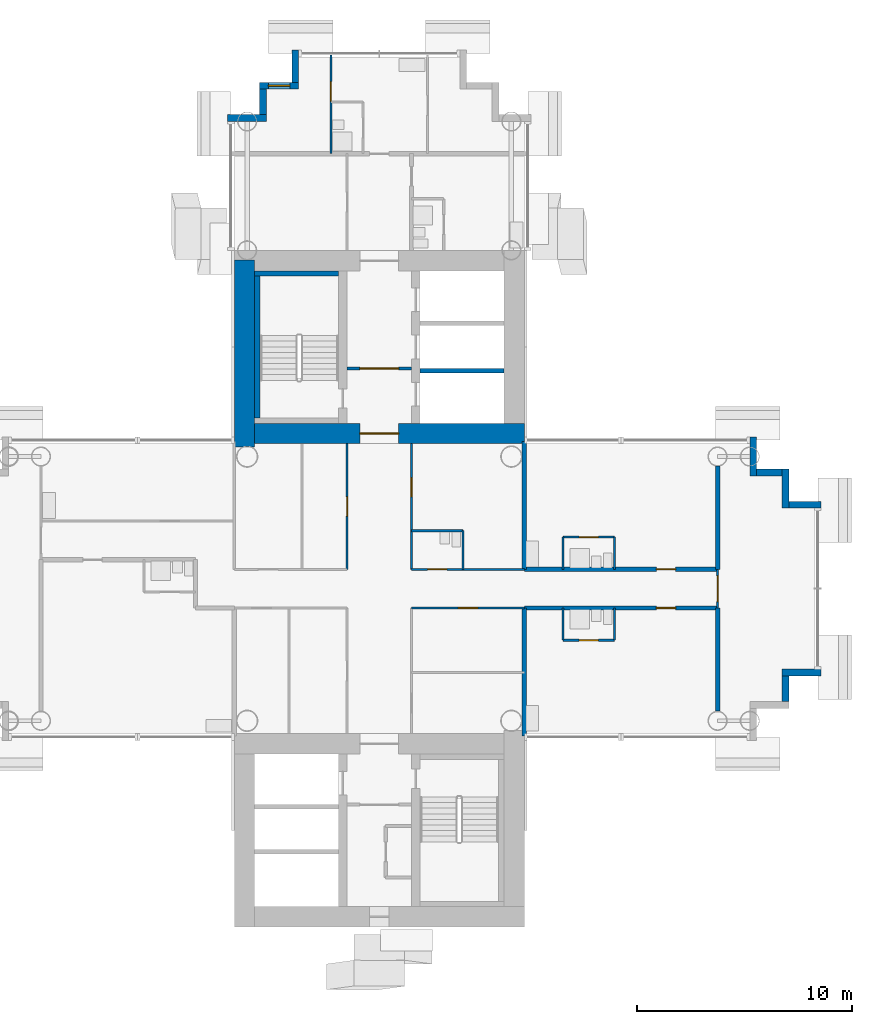
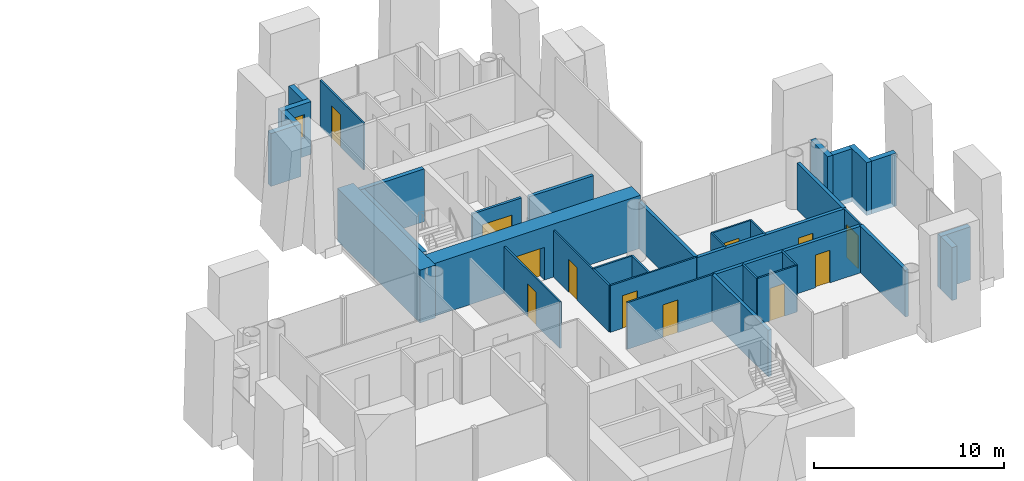
# One storey, part 13 of 21: 36 walls, 12 doors, 1 window, 13 openings.
"""IFC4 building model written with IfcOpenShell, lengths in metres."""

from ifc_helpers import new_model, si_unit, direction, frame, frame_2d, origin, place, context, subcontext, project, spatial, rectangle, extrude, material, layer, layer_set, type_object, element, fill, save


model = new_model("IFC4")

# Units and contexts
model_context = context("Model", 3, precision=1e-05, world=origin(), true_north=direction((0.0, 1.0)))
body_context = subcontext(model_context, "Body", "Model", "MODEL_VIEW")
ifc_project = project(units=[si_unit("LENGTHUNIT", "METRE"), si_unit("AREAUNIT", "SQUARE_METRE"), si_unit("VOLUMEUNIT", "CUBIC_METRE"), si_unit("PLANEANGLEUNIT", "RADIAN"), si_unit("MASSUNIT", "GRAM", prefix="KILO")], contexts=[model_context])

# Site, building, storey
site_placement = place(None, origin())
site = spatial("IfcSite", under=ifc_project, at=site_placement, CompositionType="ELEMENT")
building_placement = place(site_placement, origin())
building = spatial("IfcBuilding", under=site, at=building_placement, Name="Ipe Terrace Towers", CompositionType="ELEMENT")
storey_placement = place(building_placement, frame((0.0, 0.0, 93.60009765625)))
storey = spatial("IfcBuildingStorey", under=building, at=storey_placement, Name="L25", CompositionType="ELEMENT", Elevation=93.60009765625)

# Walls
ifc_material_1 = material(Name="Concrete C40/50 with buff precast cladding", Category="concrete")
ifc_layer_1 = layer(ifc_material_1, 0.320068359375)
ifc_layer_set_1 = layer_set([ifc_layer_1], Name="BUFF CLADDING WALL 320")
wall_type_1 = type_object("IfcWallType", Name="BUFF CLADDING WALL 320", PredefinedType="STANDARD", material=ifc_layer_set_1)
wall_1_placement = place(storey_placement, frame((54.909912109375, -5.25, -0.300048828125), z_axis=(0.0, 0.0, 1.0), x_axis=(0.0, 1.0, 0.0)))
element("IfcWall", 1, at=wall_1_placement, inside=storey, type_object=wall_type_1, Name="T2-W-L25-06a wall", PredefinedType="STANDARD", context=body_context, shape_type="SweptSolid", body=[
    extrude(rectangle(XDim=1.179931640625, YDim=0.320068359375, at=frame_2d((0.58984375, 0.0))), origin(), (0.0, 0.0, 1.0), 3.39990234375),
])
wall_2_placement = place(storey_placement, frame((54.75, -3.909912109375, -0.300048828125), z_axis=(0.0, 0.0, 1.0), x_axis=(1.0, 0.0, 0.0)))
element("IfcWall", 2, at=wall_2_placement, inside=storey, type_object=wall_type_1, Name="T2-W-L25-07a wall", PredefinedType="STANDARD", context=body_context, shape_type="SweptSolid", body=[
    extrude(rectangle(XDim=1.820068359375, YDim=0.320068359375, at=frame_2d((0.91015625, 0.0))), origin(), (0.0, 0.0, 1.0), 3.39990234375),
])
wall_3_placement = place(storey_placement, frame((56.570068359375, 3.909912109375, -0.300048828125), z_axis=(0.0, 0.0, 1.0), x_axis=(-1.0, 0.0, 0.0)))
element("IfcWall", 3, at=wall_3_placement, inside=storey, type_object=wall_type_1, Name="T2-W-L25-09a wall", PredefinedType="STANDARD", context=body_context, shape_type="SweptSolid", body=[
    extrude(rectangle(XDim=1.5, YDim=0.320068359375, at=frame_2d((0.75, 0.0))), origin(), (0.0, 0.0, 1.0), 3.39990234375),
])
wall_4_placement = place(storey_placement, frame((54.909912109375, 3.75, -0.300048828125), z_axis=(0.0, 0.0, 1.0), x_axis=(0.0, 1.0, 0.0)))
element("IfcWall", 4, at=wall_4_placement, inside=storey, type_object=wall_type_1, Name="T2-W-L25-10a wall", PredefinedType="STANDARD", context=body_context, shape_type="SweptSolid", body=[
    extrude(rectangle(XDim=1.820068359375, YDim=0.320068359375, at=frame_2d((0.91015625, 0.0))), origin(), (0.0, 0.0, 1.0), 3.39990234375),
])
wall_5_placement = place(storey_placement, frame((54.75, 5.409912109375, -0.300048828125), z_axis=(0.0, 0.0, 1.0), x_axis=(-1.0, 0.0, 0.0)))
element("IfcWall", 5, at=wall_5_placement, inside=storey, type_object=wall_type_1, Name="T2-W-L25-11a wall", PredefinedType="STANDARD", context=body_context, shape_type="SweptSolid", body=[
    extrude(rectangle(XDim=1.179931640625, YDim=0.320068359375, at=frame_2d((0.58984375, 0.0))), origin(), (0.0, 0.0, 1.0), 3.39990234375),
])
wall_6_placement = place(storey_placement, frame((53.409912109375, 5.25, -0.300048828125), z_axis=(0.0, 0.0, 1.0), x_axis=(0.0, 1.0, 0.0)))
element("IfcWall", 6, at=wall_6_placement, inside=storey, type_object=wall_type_1, Name="T2-W-L25-12a wall", PredefinedType="STANDARD", context=body_context, shape_type="SweptSolid", body=[
    extrude(rectangle(XDim=1.820068359375, YDim=0.320068359375, at=frame_2d((0.91015625, 0.0))), origin(), (0.0, 0.0, 1.0), 3.39990234375),
])
wall_7_placement = place(storey_placement, frame((32.090087890625, 25.070068359375, -0.300048828125), z_axis=(0.0, 0.0, 1.0), x_axis=(0.0, -1.0, 0.0)))
element("IfcWall", 7, at=wall_7_placement, inside=storey, type_object=wall_type_1, Name="T2-W-L25-22a wall", PredefinedType="STANDARD", context=body_context, shape_type="SweptSolid", body=[
    extrude(rectangle(XDim=1.5, YDim=0.320068359375, at=frame_2d((0.75, 0.0))), origin(), (0.0, 0.0, 1.0), 3.39990234375),
])

# Wall, opening, window
wall_8_placement = place(storey_placement, frame((32.25, 23.409912109375, -0.300048828125), z_axis=(0.0, 0.0, 1.0), x_axis=(-1.0, 0.0, 0.0)))
wall_8 = element("IfcWall", 8, at=wall_8_placement, inside=storey, type_object=wall_type_1, Name="T2-W-L25-23a wall", PredefinedType="STANDARD", context=body_context, shape_type="SweptSolid", body=[
    extrude(rectangle(XDim=1.820068359375, YDim=0.320068359375, at=frame_2d((0.91015625, 0.0))), origin(), (0.0, 0.0, 1.0), 3.39990234375),
])
opening_1_placement = place(wall_8_placement, frame((0.409912109375, 0.0, 1.199951171875)))
opening_1 = element("IfcOpeningElement", 9, at=opening_1_placement, cuts=wall_8, Name="Opening T2-W-05-L25-01", PredefinedType="OPENING", context=body_context, shape_type="SweptSolid", body=[
    extrude(rectangle(XDim=1.0, YDim=1.5, at=frame_2d((0.5, 0.75))), frame((0.0, 0.169921875, 0.0), z_axis=(0.0, -1.0, 0.0), x_axis=(1.0, 0.0, 0.0)), (0.0, 0.0, 1.0), 0.340087890625),
])
ifc_material_2 = material(Name="Glass, clear laminated", Category="glass")
window_type = type_object("IfcWindowType", Name="DWELLING WINDOW 1000 x 1500", PartitioningType="SINGLE_PANEL", PredefinedType="WINDOW", material=ifc_material_2)
window_placement = place(opening_1_placement, origin())
window = element("IfcWindow", 10, at=window_placement, inside=storey, type_object=window_type, Name="W-05 window", OverallHeight=1.5, OverallWidth=1.0, PartitioningType="SINGLE_PANEL", PredefinedType="WINDOW", context=body_context, shape_type="SweptSolid", body=[
    extrude(rectangle(XDim=1.0, YDim=1.5, at=frame_2d((0.5, 0.75))), frame((0.0, 0.030029296875, 0.0), z_axis=(0.0, -1.0, 0.0), x_axis=(1.0, 0.0, 0.0)), (0.0, 0.0, 1.0), 0.06005859375),
])
fill(opening_1, window)

# Walls
wall_9_placement = place(storey_placement, frame((30.590087890625, 23.25, -0.300048828125), z_axis=(0.0, 0.0, 1.0), x_axis=(0.0, -1.0, 0.0)))
element("IfcWall", 11, at=wall_9_placement, inside=storey, type_object=wall_type_1, Name="T2-W-L25-24a wall", PredefinedType="STANDARD", context=body_context, shape_type="SweptSolid", body=[
    extrude(rectangle(XDim=1.179931640625, YDim=0.320068359375, at=frame_2d((0.58984375, 0.0))), origin(), (0.0, 0.0, 1.0), 3.39990234375),
])
wall_10_placement = place(storey_placement, frame((30.75, 21.909912109375, -0.300048828125), z_axis=(0.0, 0.0, 1.0), x_axis=(-1.0, 0.0, 0.0)))
element("IfcWall", 12, at=wall_10_placement, inside=storey, type_object=wall_type_1, Name="T2-W-L25-25a wall", PredefinedType="STANDARD", context=body_context, shape_type="SweptSolid", body=[
    extrude(rectangle(XDim=1.820068359375, YDim=0.320068359375, at=frame_2d((0.91015625, 0.0))), origin(), (0.0, 0.0, 1.0), 3.39990234375),
])

# Wall, opening, door
ifc_material_3 = material(Name="Gypsum board partition", Category="plasterboard")
ifc_layer_2 = layer(ifc_material_3, 0.10009765625)
ifc_layer_set_2 = layer_set([ifc_layer_2], Name="Gypsum board partition 100 mm")
wall_type_2 = type_object("IfcWallType", Name="Gypsum board partition 100 mm", PredefinedType="PARTITIONING", material=ifc_layer_set_2)
wall_11_placement = place(storey_placement, frame((46.949951171875, -2.39990234375, 0.0), z_axis=(0.0, 0.0, 1.0), x_axis=(-1.0, 0.0, 0.0)))
wall_11 = element("IfcWall", 13, at=wall_11_placement, inside=storey, type_object=wall_type_2, Name="Gypsum board partition T2 L25 W02", PredefinedType="PARTITIONING", context=body_context, shape_type="SweptSolid", body=[
    extrude(rectangle(XDim=2.39990234375, YDim=0.10009765625, at=frame_2d((1.199951171875, 0.0))), origin(), (0.0, 0.0, 1.0), 3.0),
])
opening_2_placement = place(wall_11_placement, frame((0.75, 0.0, 0.0)))
opening_2 = element("IfcOpeningElement", 14, at=opening_2_placement, cuts=wall_11, Name="Opening T2-Z2C-16", PredefinedType="OPENING", context=body_context, shape_type="SweptSolid", body=[
    extrude(rectangle(XDim=0.89990234375, YDim=2.10009765625, at=frame_2d((0.449951171875, 1.050048828125))), frame((0.0, 0.06005859375, 0.0), z_axis=(0.0, -1.0, 0.0), x_axis=(1.0, 0.0, 0.0)), (0.0, 0.0, 1.0), 0.1201171875),
])
ifc_material_4 = material(Name="Timber door leaf", Category="wood")
door_type_1 = type_object("IfcDoorType", Name="Bathroom door 900 x 2100", OperationType="NOTDEFINED", PredefinedType="DOOR", material=ifc_material_4)
door_1_placement = place(opening_2_placement, origin())
door_1 = element("IfcDoor", 15, at=door_1_placement, inside=storey, type_object=door_type_1, Name="Bathroom door T2-Z2C-16", OperationType="SINGLE_SWING_RIGHT", OverallHeight=2.10009765625, OverallWidth=0.89990234375, PredefinedType="DOOR", context=body_context, shape_type="SweptSolid", body=[
    extrude(rectangle(XDim=0.89990234375, YDim=2.10009765625, at=frame_2d((0.449951171875, 1.050048828125))), frame((0.0, 0.02490234375, 0.0), z_axis=(0.0, -1.0, 0.0), x_axis=(1.0, 0.0, 0.0)), (0.0, 0.0, 1.0), 0.050048828125),
])
fill(opening_2, door_1)

wall_12_placement = place(storey_placement, frame((42.75, -0.89990234375, 0.0), z_axis=(0.0, 0.0, 1.0), x_axis=(-1.0, 0.0, 0.0)))
wall_12 = element("IfcWall", 16, at=wall_12_placement, inside=storey, type_object=wall_type_2, Name="Gypsum board partition T2 L25 W03", PredefinedType="PARTITIONING", context=body_context, shape_type="SweptSolid", body=[
    extrude(rectangle(XDim=5.25, YDim=0.10009765625, at=frame_2d((2.625, 0.0))), origin(), (0.0, 0.0, 1.0), 3.0),
])
opening_3_placement = place(wall_12_placement, frame((2.175048828125, 0.0, 0.0)))
opening_3 = element("IfcOpeningElement", 17, at=opening_3_placement, cuts=wall_12, Name="Opening T2-Z2C-06", PredefinedType="OPENING", context=body_context, shape_type="SweptSolid", body=[
    extrude(rectangle(XDim=0.89990234375, YDim=2.10009765625, at=frame_2d((0.449951171875, 1.050048828125))), frame((0.0, 0.06005859375, 0.0), z_axis=(0.0, -1.0, 0.0), x_axis=(1.0, 0.0, 0.0)), (0.0, 0.0, 1.0), 0.1201171875),
])
ifc_material_5 = material(Name="Timber door leaf", Category="wood")
door_type_2 = type_object("IfcDoorType", Name="Lounge door 900 x 2100", OperationType="NOTDEFINED", PredefinedType="DOOR", material=ifc_material_5)
door_2_placement = place(opening_3_placement, origin())
door_2 = element("IfcDoor", 18, at=door_2_placement, inside=storey, type_object=door_type_2, Name="Lounge door T2-Z2C-06", OperationType="SINGLE_SWING_LEFT", OverallHeight=2.10009765625, OverallWidth=0.89990234375, PredefinedType="DOOR", context=body_context, shape_type="SweptSolid", body=[
    extrude(rectangle(XDim=0.89990234375, YDim=2.10009765625, at=frame_2d((0.449951171875, 1.050048828125))), frame((0.0, 0.02490234375, 0.0), z_axis=(0.0, -1.0, 0.0), x_axis=(1.0, 0.0, 0.0)), (0.0, 0.0, 1.0), 0.050048828125),
])
fill(opening_3, door_2)

wall_13_placement = place(storey_placement, frame((42.75, 0.89990234375, 0.0), z_axis=(0.0, 0.0, 1.0), x_axis=(-1.0, 0.0, 0.0)))
wall_13 = element("IfcWall", 19, at=wall_13_placement, inside=storey, type_object=wall_type_2, Name="Gypsum board partition T2 L25 W08", PredefinedType="PARTITIONING", context=body_context, shape_type="SweptSolid", body=[
    extrude(rectangle(XDim=5.25, YDim=0.10009765625, at=frame_2d((2.625, 0.0))), origin(), (0.0, 0.0, 1.0), 3.0),
])
opening_4_placement = place(wall_13_placement, frame((3.60009765625, 0.0, 0.0)))
opening_4 = element("IfcOpeningElement", 20, at=opening_4_placement, cuts=wall_13, Name="Opening T2-Z2C-01", PredefinedType="OPENING", context=body_context, shape_type="SweptSolid", body=[
    extrude(rectangle(XDim=0.89990234375, YDim=2.10009765625, at=frame_2d((0.449951171875, 1.050048828125))), frame((0.0, 0.06005859375, 0.0), z_axis=(0.0, -1.0, 0.0), x_axis=(1.0, 0.0, 0.0)), (0.0, 0.0, 1.0), 0.1201171875),
])
door_3_placement = place(opening_4_placement, origin())
door_3 = element("IfcDoor", 21, at=door_3_placement, inside=storey, type_object=door_type_1, Name="Bathroom door T2-Z2C-01", OperationType="SINGLE_SWING_RIGHT", OverallHeight=2.10009765625, OverallWidth=0.89990234375, PredefinedType="DOOR", context=body_context, shape_type="SweptSolid", body=[
    extrude(rectangle(XDim=0.89990234375, YDim=2.10009765625, at=frame_2d((0.449951171875, 1.050048828125))), frame((0.0, 0.02490234375, 0.0), z_axis=(0.0, -1.0, 0.0), x_axis=(1.0, 0.0, 0.0)), (0.0, 0.0, 1.0), 0.050048828125),
])
fill(opening_4, door_3)

wall_14_placement = place(storey_placement, frame((46.949951171875, 2.39990234375, 0.0), z_axis=(0.0, 0.0, 1.0), x_axis=(-1.0, 0.0, 0.0)))
wall_14 = element("IfcWall", 22, at=wall_14_placement, inside=storey, type_object=wall_type_2, Name="Gypsum board partition T2 L25 W12", PredefinedType="PARTITIONING", context=body_context, shape_type="SweptSolid", body=[
    extrude(rectangle(XDim=2.39990234375, YDim=0.10009765625, at=frame_2d((1.199951171875, 0.0))), origin(), (0.0, 0.0, 1.0), 3.0),
])
opening_5_placement = place(wall_14_placement, frame((0.75, 0.0, 0.0)))
opening_5 = element("IfcOpeningElement", 23, at=opening_5_placement, cuts=wall_14, Name="Opening T2-Z2C-14", PredefinedType="OPENING", context=body_context, shape_type="SweptSolid", body=[
    extrude(rectangle(XDim=0.89990234375, YDim=2.10009765625, at=frame_2d((0.449951171875, 1.050048828125))), frame((0.0, 0.06005859375, 0.0), z_axis=(0.0, -1.0, 0.0), x_axis=(1.0, 0.0, 0.0)), (0.0, 0.0, 1.0), 0.1201171875),
])
door_4_placement = place(opening_5_placement, origin())
door_4 = element("IfcDoor", 24, at=door_4_placement, inside=storey, type_object=door_type_1, Name="Bathroom door T2-Z2C-14", OperationType="SINGLE_SWING_LEFT", OverallHeight=2.10009765625, OverallWidth=0.89990234375, PredefinedType="DOOR", context=body_context, shape_type="SweptSolid", body=[
    extrude(rectangle(XDim=0.89990234375, YDim=2.10009765625, at=frame_2d((0.449951171875, 1.050048828125))), frame((0.0, 0.02490234375, 0.0), z_axis=(0.0, -1.0, 0.0), x_axis=(1.0, 0.0, 0.0)), (0.0, 0.0, 1.0), 0.050048828125),
])
fill(opening_5, door_4)

# Wall
wall_15_placement = place(storey_placement, frame((39.89990234375, 2.699951171875, 0.0), z_axis=(0.0, 0.0, 1.0), x_axis=(-1.0, 0.0, 0.0)))
element("IfcWall", 25, at=wall_15_placement, inside=storey, type_object=wall_type_2, Name="Gypsum board partition T2 L25 W13", PredefinedType="PARTITIONING", context=body_context, shape_type="SweptSolid", body=[
    extrude(rectangle(XDim=2.39990234375, YDim=0.10009765625, at=frame_2d((1.199951171875, 0.0))), origin(), (0.0, 0.0, 1.0), 3.0),
])

# Wall, opening, door
wall_16_placement = place(storey_placement, frame((51.75, -0.89990234375, 0.0), z_axis=(0.0, 0.0, 1.0), x_axis=(0.0, 1.0, 0.0)))
wall_16 = element("IfcWall", 26, at=wall_16_placement, inside=storey, type_object=wall_type_2, Name="Gypsum board partition T2 L25 W18", PredefinedType="PARTITIONING", context=body_context, shape_type="SweptSolid", body=[
    extrude(rectangle(XDim=1.7998046875, YDim=0.10009765625, at=frame_2d((0.89990234375, 0.0))), origin(), (0.0, 0.0, 1.0), 3.0),
])
opening_6_placement = place(wall_16_placement, frame((0.300048828125, 0.0, 0.0)))
opening_6 = element("IfcOpeningElement", 27, at=opening_6_placement, cuts=wall_16, Name="Opening T2-Z2C-17", PredefinedType="OPENING", context=body_context, shape_type="SweptSolid", body=[
    extrude(rectangle(XDim=1.199951171875, YDim=2.10009765625, at=frame_2d((0.60009765625, 1.050048828125))), frame((0.0, 0.06005859375, 0.0), z_axis=(0.0, -1.0, 0.0), x_axis=(1.0, 0.0, 0.0)), (0.0, 0.0, 1.0), 0.1201171875),
])
ifc_material_6 = material(Name="Timber door leaf", Category="wood")
door_type_3 = type_object("IfcDoorType", Name="Lounge door 1200 x 2100", OperationType="NOTDEFINED", PredefinedType="DOOR", material=ifc_material_6)
door_5_placement = place(opening_6_placement, origin())
door_5 = element("IfcDoor", 28, at=door_5_placement, inside=storey, type_object=door_type_3, Name="Lounge door T2-Z2C-17", OperationType="SINGLE_SWING_RIGHT", OverallHeight=2.10009765625, OverallWidth=1.199951171875, PredefinedType="DOOR", context=body_context, shape_type="SweptSolid", body=[
    extrude(rectangle(XDim=1.199951171875, YDim=2.10009765625, at=frame_2d((0.60009765625, 1.050048828125))), frame((0.0, 0.02490234375, 0.0), z_axis=(0.0, -1.0, 0.0), x_axis=(1.0, 0.0, 0.0)), (0.0, 0.0, 1.0), 0.050048828125),
])
fill(opening_6, door_5)

# Walls
for number, where, z_axis, x_axis, name in (
    (29, (46.949951171875, -2.39990234375, 0.0), (0.0, 0.0, 1.0), (0.0, 1.0, 0.0), "Gypsum board partition T2 L25 W21"),
    (30, (46.949951171875, 0.89990234375, 0.0), (0.0, 0.0, 1.0), (0.0, 1.0, 0.0), "Gypsum board partition T2 L25 W22"),
    (31, (44.550048828125, -2.39990234375, 0.0), (0.0, 0.0, 1.0), (0.0, 1.0, 0.0), "Gypsum board partition T2 L25 W23"),
    (32, (44.550048828125, 0.89990234375, 0.0), (0.0, 0.0, 1.0), (0.0, 1.0, 0.0), "Gypsum board partition T2 L25 W24"),
):
    element("IfcWall", number, at=place(storey_placement, frame(where, z_axis=z_axis, x_axis=x_axis)), inside=storey, type_object=wall_type_2, Name=name, PredefinedType="PARTITIONING", context=body_context, shape_type="SweptSolid", body=[
        extrude(rectangle(XDim=1.5, YDim=0.10009765625, at=frame_2d((0.75, 0.0))), origin(), (0.0, 0.0, 1.0), 3.0),
    ])
wall_17_placement = place(storey_placement, frame((39.89990234375, 0.89990234375, 0.0), z_axis=(0.0, 0.0, 1.0), x_axis=(0.0, 1.0, 0.0)))
element("IfcWall", 33, at=wall_17_placement, inside=storey, type_object=wall_type_2, Name="Gypsum board partition T2 L25 W27", PredefinedType="PARTITIONING", context=body_context, shape_type="SweptSolid", body=[
    extrude(rectangle(XDim=1.800048828125, YDim=0.10009765625, at=frame_2d((0.89990234375, 0.0))), origin(), (0.0, 0.0, 1.0), 3.0),
])

# Wall, opening, door
wall_18_placement = place(storey_placement, frame((37.5, 0.89990234375, 0.0), z_axis=(0.0, 0.0, 1.0), x_axis=(0.0, 1.0, 0.0)))
wall_18 = element("IfcWall", 34, at=wall_18_placement, inside=storey, type_object=wall_type_2, Name="Gypsum board partition T2 L25 W31", PredefinedType="PARTITIONING", context=body_context, shape_type="SweptSolid", body=[
    extrude(rectangle(XDim=5.85009765625, YDim=0.10009765625, at=frame_2d((2.925048828125, 0.0))), origin(), (0.0, 0.0, 1.0), 3.0),
])
opening_7_placement = place(wall_18_placement, frame((3.375, 0.0, 0.0)))
opening_7 = element("IfcOpeningElement", 35, at=opening_7_placement, cuts=wall_18, Name="Opening T2-Z2C-08", PredefinedType="OPENING", context=body_context, shape_type="SweptSolid", body=[
    extrude(rectangle(XDim=0.89990234375, YDim=2.10009765625, at=frame_2d((0.449951171875, 1.050048828125))), frame((0.0, 0.06005859375, 0.0), z_axis=(0.0, -1.0, 0.0), x_axis=(1.0, 0.0, 0.0)), (0.0, 0.0, 1.0), 0.1201171875),
])
door_6_placement = place(opening_7_placement, origin())
door_6 = element("IfcDoor", 36, at=door_6_placement, inside=storey, type_object=door_type_2, Name="Lounge door T2-Z2C-08", OperationType="SINGLE_SWING_RIGHT", OverallHeight=2.10009765625, OverallWidth=0.89990234375, PredefinedType="DOOR", context=body_context, shape_type="SweptSolid", body=[
    extrude(rectangle(XDim=0.89990234375, YDim=2.10009765625, at=frame_2d((0.449951171875, 1.050048828125))), frame((0.0, 0.02490234375, 0.0), z_axis=(0.0, -1.0, 0.0), x_axis=(1.0, 0.0, 0.0)), (0.0, 0.0, 1.0), 0.050048828125),
])
fill(opening_7, door_6)

wall_19_placement = place(storey_placement, frame((34.5, 0.89990234375, 0.0), z_axis=(0.0, 0.0, 1.0), x_axis=(0.0, 1.0, 0.0)))
wall_19 = element("IfcWall", 37, at=wall_19_placement, inside=storey, type_object=wall_type_2, Name="Gypsum board partition T2 L25 W35", PredefinedType="PARTITIONING", context=body_context, shape_type="SweptSolid", body=[
    extrude(rectangle(XDim=5.85009765625, YDim=0.10009765625, at=frame_2d((2.925048828125, 0.0))), origin(), (0.0, 0.0, 1.0), 3.0),
])
opening_8_placement = place(wall_19_placement, frame((2.47509765625, 0.0, 0.0)))
opening_8 = element("IfcOpeningElement", 38, at=opening_8_placement, cuts=wall_19, Name="Opening T2-Z2C-02", PredefinedType="OPENING", context=body_context, shape_type="SweptSolid", body=[
    extrude(rectangle(XDim=0.89990234375, YDim=2.10009765625, at=frame_2d((0.449951171875, 1.050048828125))), frame((0.0, 0.06005859375, 0.0), z_axis=(0.0, -1.0, 0.0), x_axis=(1.0, 0.0, 0.0)), (0.0, 0.0, 1.0), 0.1201171875),
])
door_7_placement = place(opening_8_placement, origin())
door_7 = element("IfcDoor", 39, at=door_7_placement, inside=storey, type_object=door_type_2, Name="Lounge door T2-Z2C-02", OperationType="SINGLE_SWING_LEFT", OverallHeight=2.10009765625, OverallWidth=0.89990234375, PredefinedType="DOOR", context=body_context, shape_type="SweptSolid", body=[
    extrude(rectangle(XDim=0.89990234375, YDim=2.10009765625, at=frame_2d((0.449951171875, 1.050048828125))), frame((0.0, 0.02490234375, 0.0), z_axis=(0.0, -1.0, 0.0), x_axis=(1.0, 0.0, 0.0)), (0.0, 0.0, 1.0), 0.050048828125),
])
fill(opening_8, door_7)

wall_20_placement = place(storey_placement, frame((33.75, 20.25, 0.0), z_axis=(0.0, 0.0, 1.0), x_axis=(0.0, 1.0, 0.0)))
wall_20 = element("IfcWall", 40, at=wall_20_placement, inside=storey, type_object=wall_type_2, Name="Gypsum board partition T2 L25 W37", PredefinedType="PARTITIONING", context=body_context, shape_type="SweptSolid", body=[
    extrude(rectangle(XDim=4.60009765625, YDim=0.10009765625, at=frame_2d((2.300048828125, 0.0))), origin(), (0.0, 0.0, 1.0), 3.0),
])
opening_9_placement = place(wall_20_placement, frame((2.449951171875, 0.0, 0.0)))
opening_9 = element("IfcOpeningElement", 41, at=opening_9_placement, cuts=wall_20, Name="Opening T2-Z2C-23", PredefinedType="OPENING", context=body_context, shape_type="SweptSolid", body=[
    extrude(rectangle(XDim=0.89990234375, YDim=2.10009765625, at=frame_2d((0.449951171875, 1.050048828125))), frame((0.0, 0.06005859375, 0.0), z_axis=(0.0, -1.0, 0.0), x_axis=(1.0, 0.0, 0.0)), (0.0, 0.0, 1.0), 0.1201171875),
])
ifc_material_7 = material(Name="Timber door leaf", Category="wood")
door_type_4 = type_object("IfcDoorType", Name="Bedroom door 900 x 2100", OperationType="NOTDEFINED", PredefinedType="DOOR", material=ifc_material_7)
door_8_placement = place(opening_9_placement, origin())
door_8 = element("IfcDoor", 42, at=door_8_placement, inside=storey, type_object=door_type_4, Name="Bedroom door T2-Z2C-23", OperationType="SINGLE_SWING_LEFT", OverallHeight=2.10009765625, OverallWidth=0.89990234375, PredefinedType="DOOR", context=body_context, shape_type="SweptSolid", body=[
    extrude(rectangle(XDim=0.89990234375, YDim=2.10009765625, at=frame_2d((0.449951171875, 1.050048828125))), frame((0.0, 0.02490234375, 0.0), z_axis=(0.0, -1.0, 0.0), x_axis=(1.0, 0.0, 0.0)), (0.0, 0.0, 1.0), 0.050048828125),
])
fill(opening_9, door_8)

ifc_material_8 = material(Name="Gypsum board partition", Category="plasterboard")
ifc_layer_3 = layer(ifc_material_8, 0.14990234375)
ifc_layer_set_3 = layer_set([ifc_layer_3], Name="Gypsum board partition 150 mm")
wall_type_3 = type_object("IfcWallType", Name="Gypsum board partition 150 mm", PredefinedType="PARTITIONING", material=ifc_layer_set_3)
wall_21_placement = place(storey_placement, frame((37.5, 10.25, 0.0), z_axis=(0.0, 0.0, 1.0), x_axis=(-1.0, 0.0, 0.0)))
wall_21 = element("IfcWall", 43, at=wall_21_placement, inside=storey, type_object=wall_type_3, Name="Gypsum board partition T2 L25 t2c1-lobby-wall", PredefinedType="PARTITIONING", context=body_context, shape_type="SweptSolid", body=[
    extrude(rectangle(XDim=3.0, YDim=0.14990234375, at=frame_2d((1.5, 0.0))), origin(), (0.0, 0.0, 1.0), 3.0),
])
opening_10_placement = place(wall_21_placement, frame((0.60009765625, 0.0, 0.0)))
opening_10 = element("IfcOpeningElement", 44, at=opening_10_placement, cuts=wall_21, Name="Opening T2C1-VD", PredefinedType="OPENING", context=body_context, shape_type="SweptSolid", body=[
    extrude(rectangle(XDim=1.800048828125, YDim=2.10009765625, at=frame_2d((0.89990234375, 1.050048828125))), frame((0.0, 0.0849609375, 0.0), z_axis=(0.0, -1.0, 0.0), x_axis=(1.0, 0.0, 0.0)), (0.0, 0.0, 1.0), 0.169921875),
])
ifc_material_9 = material(Name="Fire-rated timber door leaf", Category="wood")
door_type_5 = type_object("IfcDoorType", Name="Lobby door 1800 x 2100 FD60", OperationType="NOTDEFINED", PredefinedType="DOOR", material=ifc_material_9)
door_9_placement = place(opening_10_placement, origin())
door_9 = element("IfcDoor", 45, at=door_9_placement, inside=storey, type_object=door_type_5, Name="Lobby door T2C1-VD", OperationType="SINGLE_SWING_LEFT", OverallHeight=2.10009765625, OverallWidth=1.800048828125, PredefinedType="DOOR", context=body_context, shape_type="SweptSolid", body=[
    extrude(rectangle(XDim=1.800048828125, YDim=2.10009765625, at=frame_2d((0.89990234375, 1.050048828125))), frame((0.0, 0.02490234375, 0.0), z_axis=(0.0, -1.0, 0.0), x_axis=(1.0, 0.0, 0.0)), (0.0, 0.0, 1.0), 0.050048828125),
])
fill(opening_10, door_9)

# Wall
ifc_material_10 = material(Name="Gypsum board party wall", Category="plasterboard")
ifc_layer_4 = layer(ifc_material_10, 0.199951171875)
ifc_layer_set_4 = layer_set([ifc_layer_4], Name="Gypsum board party wall 200 mm")
wall_type_4 = type_object("IfcWallType", Name="Gypsum board party wall 200 mm", PredefinedType="SOLIDWALL", material=ifc_layer_set_4)
wall_22_placement = place(storey_placement, frame((41.800048828125, 10.14990234375, 0.0), z_axis=(0.0, 0.0, 1.0), x_axis=(-1.0, 0.0, 0.0)))
element("IfcWall", 46, at=wall_22_placement, inside=storey, type_object=wall_type_4, Name="Gypsum board party wall T2 L25 t2c1-shaft-div1", PredefinedType="SOLIDWALL", context=body_context, shape_type="SweptSolid", body=[
    extrude(rectangle(XDim=3.900146484375, YDim=0.199951171875, at=frame_2d((1.9501953125, 0.0))), origin(), (0.0, 0.0, 1.0), 3.0),
])

# Wall, opening, door
wall_23_placement = place(storey_placement, frame((51.75, -0.89990234375, 0.0), z_axis=(0.0, 0.0, 1.0), x_axis=(-1.0, 0.0, 0.0)))
wall_23 = element("IfcWall", 47, at=wall_23_placement, inside=storey, type_object=wall_type_4, Name="Gypsum board party wall T2 L25 W05", PredefinedType="SOLIDWALL", context=body_context, shape_type="SweptSolid", body=[
    extrude(rectangle(XDim=9.0, YDim=0.199951171875, at=frame_2d((4.5, 0.0))), origin(), (0.0, 0.0, 1.0), 3.0),
])
opening_11_placement = place(wall_23_placement, frame((1.949951171875, 0.0, 0.0)))
opening_11 = element("IfcOpeningElement", 48, at=opening_11_placement, cuts=wall_23, Name="Opening T2-Z2C-15", PredefinedType="OPENING", context=body_context, shape_type="SweptSolid", body=[
    extrude(rectangle(XDim=0.89990234375, YDim=2.10009765625, at=frame_2d((0.449951171875, 1.050048828125))), frame((0.0, 0.10986328125, 0.0), z_axis=(0.0, -1.0, 0.0), x_axis=(1.0, 0.0, 0.0)), (0.0, 0.0, 1.0), 0.219970703125),
])
ifc_material_11 = material(Name="Fire-rated timber door leaf", Category="wood")
door_type_6 = type_object("IfcDoorType", Name="Flat entrance door 900 x 2100 FD30S", OperationType="NOTDEFINED", PredefinedType="DOOR", material=ifc_material_11)
door_10_placement = place(opening_11_placement, origin())
door_10 = element("IfcDoor", 49, at=door_10_placement, inside=storey, type_object=door_type_6, Name="Flat entrance door T2-Z2C-15", OperationType="SINGLE_SWING_RIGHT", OverallHeight=2.10009765625, OverallWidth=0.89990234375, PredefinedType="DOOR", context=body_context, shape_type="SweptSolid", body=[
    extrude(rectangle(XDim=0.89990234375, YDim=2.10009765625, at=frame_2d((0.449951171875, 1.050048828125))), frame((0.0, 0.02490234375, 0.0), z_axis=(0.0, -1.0, 0.0), x_axis=(1.0, 0.0, 0.0)), (0.0, 0.0, 1.0), 0.050048828125),
])
fill(opening_11, door_10)

wall_24_placement = place(storey_placement, frame((51.75, 0.89990234375, 0.0), z_axis=(0.0, 0.0, 1.0), x_axis=(-1.0, 0.0, 0.0)))
wall_24 = element("IfcWall", 50, at=wall_24_placement, inside=storey, type_object=wall_type_4, Name="Gypsum board party wall T2 L25 W10", PredefinedType="SOLIDWALL", context=body_context, shape_type="SweptSolid", body=[
    extrude(rectangle(XDim=9.0, YDim=0.199951171875, at=frame_2d((4.5, 0.0))), origin(), (0.0, 0.0, 1.0), 3.0),
])
opening_12_placement = place(wall_24_placement, frame((1.949951171875, 0.0, 0.0)))
opening_12 = element("IfcOpeningElement", 51, at=opening_12_placement, cuts=wall_24, Name="Opening T2-Z2C-13", PredefinedType="OPENING", context=body_context, shape_type="SweptSolid", body=[
    extrude(rectangle(XDim=0.89990234375, YDim=2.10009765625, at=frame_2d((0.449951171875, 1.050048828125))), frame((0.0, 0.10986328125, 0.0), z_axis=(0.0, -1.0, 0.0), x_axis=(1.0, 0.0, 0.0)), (0.0, 0.0, 1.0), 0.219970703125),
])
door_11_placement = place(opening_12_placement, origin())
door_11 = element("IfcDoor", 52, at=door_11_placement, inside=storey, type_object=door_type_6, Name="Flat entrance door T2-Z2C-13", OperationType="SINGLE_SWING_LEFT", OverallHeight=2.10009765625, OverallWidth=0.89990234375, PredefinedType="DOOR", context=body_context, shape_type="SweptSolid", body=[
    extrude(rectangle(XDim=0.89990234375, YDim=2.10009765625, at=frame_2d((0.449951171875, 1.050048828125))), frame((0.0, 0.02490234375, 0.0), z_axis=(0.0, -1.0, 0.0), x_axis=(1.0, 0.0, 0.0)), (0.0, 0.0, 1.0), 0.050048828125),
])
fill(opening_12, door_11)

# Walls
for number, where, z_axis, x_axis, name in (
    (53, (51.75, -5.699951171875, 0.0), (0.0, 0.0, 1.0), (0.0, 1.0, 0.0), "Gypsum board party wall T2 L25 W19"),
    (54, (51.75, 0.89990234375, 0.0), (0.0, 0.0, 1.0), (0.0, 1.0, 0.0), "Gypsum board party wall T2 L25 W20"),
):
    element("IfcWall", number, at=place(storey_placement, frame(where, z_axis=z_axis, x_axis=x_axis)), inside=storey, type_object=wall_type_4, Name=name, PredefinedType="SOLIDWALL", context=body_context, shape_type="SweptSolid", body=[
        extrude(rectangle(XDim=4.800048828125, YDim=0.199951171875, at=frame_2d((2.39990234375, 0.0))), origin(), (0.0, 0.0, 1.0), 3.0),
    ])
for number, where, z_axis, x_axis, name in (
    (55, (42.75, -6.85009765625, 0.0), (0.0, 0.0, 1.0), (0.0, 1.0, 0.0), "Gypsum board party wall T2 L25 W25"),
    (56, (42.75, 0.89990234375, 0.0), (0.0, 0.0, 1.0), (0.0, 1.0, 0.0), "Gypsum board party wall T2 L25 W26"),
):
    element("IfcWall", number, at=place(storey_placement, frame(where, z_axis=z_axis, x_axis=x_axis)), inside=storey, type_object=wall_type_4, Name=name, PredefinedType="SOLIDWALL", context=body_context, shape_type="SweptSolid", body=[
        extrude(rectangle(XDim=5.9501953125, YDim=0.199951171875, at=frame_2d((2.97509765625, 0.0))), origin(), (0.0, 0.0, 1.0), 3.0),
    ])
ifc_material_12 = material(Name="Concrete C50/60", Category="concrete")
ifc_layer_5 = layer(ifc_material_12, 0.25)
ifc_layer_set_5 = layer_set([ifc_layer_5], Name="RW250 CORE INFILL WALL 250 C50-60")
wall_type_5 = type_object("IfcWallType", Name="RW250 CORE INFILL WALL 250 C50-60", PredefinedType="SHEAR", material=ifc_layer_set_5)
wall_25_placement = place(storey_placement, frame((34.10009765625, 14.675048828125, 0.0), z_axis=(0.0, 0.0, 1.0), x_axis=(-1.0, 0.0, 0.0)))
element("IfcWall", 57, at=wall_25_placement, inside=storey, type_object=wall_type_5, Name="Core infill wall T2-C1-far", PredefinedType="SHEAR", context=body_context, shape_type="SweptSolid", body=[
    extrude(rectangle(XDim=3.900146484375, YDim=0.25, at=frame_2d((1.9501953125, 0.0))), origin(), (0.0, 0.0, 1.0), 3.39990234375),
])
wall_26_placement = place(storey_placement, frame((30.324951171875, 7.949951171875, 0.0), z_axis=(0.0, 0.0, 1.0), x_axis=(0.0, 1.0, 0.0)))
element("IfcWall", 58, at=wall_26_placement, inside=storey, type_object=wall_type_5, Name="Core infill wall T2-C1-back", PredefinedType="SHEAR", context=body_context, shape_type="SweptSolid", body=[
    extrude(rectangle(XDim=6.60009765625, YDim=0.25, at=frame_2d((3.300048828125, 0.0))), origin(), (0.0, 0.0, 1.0), 3.39990234375),
])

# Wall, opening, door
ifc_material_13 = material(Name="Concrete C50/60", Category="concrete")
ifc_layer_6 = layer(ifc_material_13, 0.949951171875)
ifc_layer_set_6 = layer_set([ifc_layer_6], Name="RW950 CORE WALL 950 C50-60")
wall_type_6 = type_object("IfcWallType", Name="RW950 CORE WALL 950 C50-60", PredefinedType="SHEAR", material=ifc_layer_set_6)
wall_27_placement = place(storey_placement, frame((30.199951171875, 7.22509765625, 0.0), z_axis=(0.0, 0.0, 1.0), x_axis=(1.0, 0.0, 0.0)))
wall_27 = element("IfcWall", 59, at=wall_27_placement, inside=storey, type_object=wall_type_6, Name="Core wall T2-C1-Z2-W01", PredefinedType="SHEAR", context=body_context, shape_type="SweptSolid", body=[
    extrude(rectangle(XDim=12.550048828125, YDim=0.949951171875, at=frame_2d((6.27490234375, 0.0))), origin(), (0.0, 0.0, 1.0), 3.39990234375),
])
opening_13_placement = place(wall_27_placement, frame((4.89990234375, 0.0, 0.0)))
opening_13 = element("IfcOpeningElement", 60, at=opening_13_placement, cuts=wall_27, Name="Opening T2C1-ND", PredefinedType="OPENING", context=body_context, shape_type="SweptSolid", body=[
    extrude(rectangle(XDim=1.800048828125, YDim=2.10009765625, at=frame_2d((0.89990234375, 1.050048828125))), frame((0.0, 0.48486328125, 0.0), z_axis=(0.0, -1.0, 0.0), x_axis=(1.0, 0.0, 0.0)), (0.0, 0.0, 1.0), 0.969970703125),
])
ifc_material_14 = material(Name="Fire-rated timber door leaf", Category="wood")
door_type_7 = type_object("IfcDoorType", Name="Fire door 1800 x 2100 FD30S", OperationType="NOTDEFINED", PredefinedType="DOOR", material=ifc_material_14)
door_12_placement = place(opening_13_placement, origin())
door_12 = element("IfcDoor", 61, at=door_12_placement, inside=storey, type_object=door_type_7, Name="Fire door T2C1-ND", OperationType="SINGLE_SWING_LEFT", OverallHeight=2.10009765625, OverallWidth=1.800048828125, PredefinedType="DOOR", context=body_context, shape_type="SweptSolid", body=[
    extrude(rectangle(XDim=1.800048828125, YDim=2.10009765625, at=frame_2d((0.89990234375, 1.050048828125))), frame((0.0, 0.02490234375, 0.0), z_axis=(0.0, -1.0, 0.0), x_axis=(1.0, 0.0, 0.0)), (0.0, 0.0, 1.0), 0.050048828125),
])
fill(opening_13, door_12)

# Wall
wall_28_placement = place(storey_placement, frame((29.72509765625, 15.298095703125, 0.0), z_axis=(0.0, 0.0, 1.0), x_axis=(0.0, -1.0, 0.0)))
element("IfcWall", 62, at=wall_28_placement, inside=storey, type_object=wall_type_6, Name="Core wall T2-C1-Z2-W04", PredefinedType="SHEAR", context=body_context, shape_type="SweptSolid", body=[
    extrude(rectangle(XDim=8.696044921875, YDim=0.949951171875, at=frame_2d((4.34814453125, 0.0))), origin(), (0.0, 0.0, 1.0), 3.39990234375),
])

save(model, "model.ifc")
